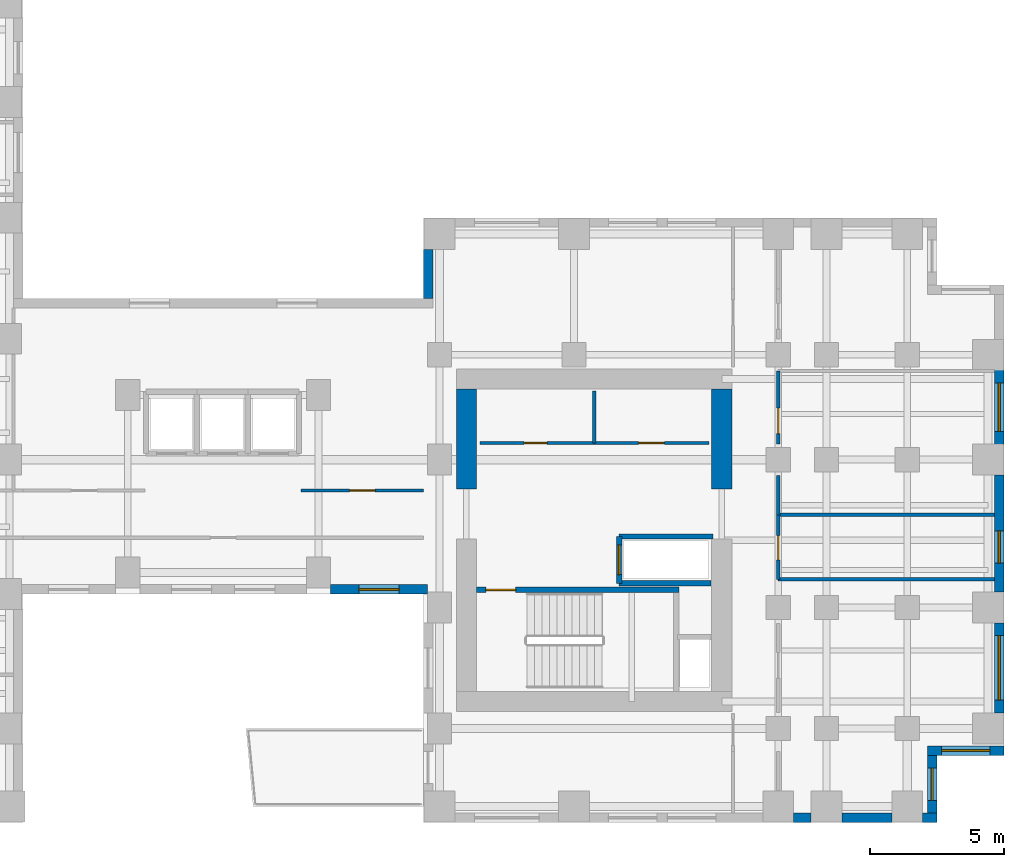
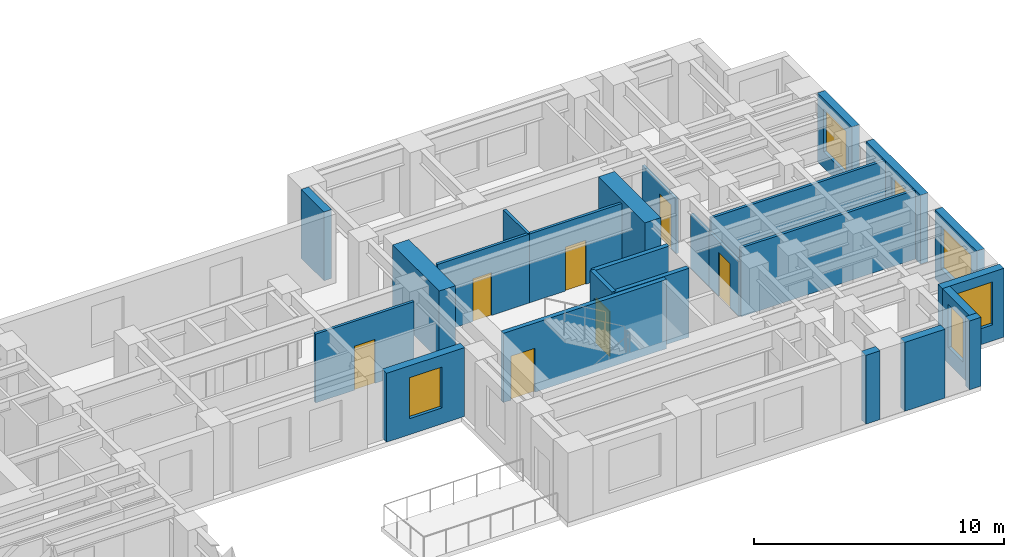
# One storey, part 7 of 12: 25 walls, 7 doors, 6 windows, 13 openings.
"""IFC4 building model written with IfcOpenShell, lengths in metres."""

from ifc_helpers import new_model, si_unit, direction, frame, frame_2d, origin, place, context, subcontext, project, spatial, rectangle, extrude, source, transform, mapped, material, layer, layer_set, type_object, element, fill, save


model = new_model("IFC4")

# Units and contexts
model_context = context("Model", 3, precision=1e-05, world=origin(), true_north=direction((0.0, 1.0)))
body_context = subcontext(model_context, "Body", "Model", "MODEL_VIEW")
ifc_project = project(units=[si_unit("LENGTHUNIT", "METRE"), si_unit("AREAUNIT", "SQUARE_METRE"), si_unit("VOLUMEUNIT", "CUBIC_METRE"), si_unit("PLANEANGLEUNIT", "RADIAN"), si_unit("MASSUNIT", "GRAM", prefix="KILO")], contexts=[model_context])

# Site, building, storey
site_placement = place(None, origin())
site = spatial("IfcSite", under=ifc_project, at=site_placement, CompositionType="ELEMENT")
building_placement = place(site_placement, origin())
building = spatial("IfcBuilding", under=site, at=building_placement, Name="Kharzan Plaza Tower", CompositionType="ELEMENT")
storey_placement = place(building_placement, frame((0.0, 0.0, 106.199951171875)))
storey = spatial("IfcBuildingStorey", under=building, at=storey_placement, Name="L28", CompositionType="ELEMENT", Elevation=106.199951171875)

# Wall, opening, window
ifc_material_1 = material(Name="Concrete C40/50", Category="concrete")
ifc_layer_1 = layer(ifc_material_1, 0.35009765625)
ifc_layer_set_1 = layer_set([ifc_layer_1], Name="Concrete C40/50")
wall_type_1 = type_object("IfcWallType", Name="WL-EXT-MAS-Z2", PredefinedType="SOLIDWALL", material=ifc_layer_set_1)
wall_1_placement = place(storey_placement, frame((30.947998046875, 8.675048828125, 0.0), z_axis=(0.0, 0.0, 1.0), x_axis=(1.0, 0.0, 0.0)))
wall_1 = element("IfcWall", 1, at=wall_1_placement, inside=storey, type_object=wall_type_1, Name="L28 Masonry-Frame Exterior Wall 36", PredefinedType="SOLIDWALL", context=body_context, shape_type="SweptSolid", body=[
    extrude(rectangle(XDim=3.60400390625, YDim=0.35009765625, at=frame_2d((1.802001953125, 0.0))), origin(), (0.0, 0.0, 1.0), 3.364990234375),
])
opening_1_placement = place(wall_1_placement, frame((1.052001953125, 0.0, 0.780029296875)))
opening_1 = element("IfcOpeningElement", 2, at=opening_1_placement, cuts=wall_1, Name="Opening W5", PredefinedType="OPENING", context=body_context, shape_type="SweptSolid", body=[
    extrude(rectangle(XDim=1.5, YDim=2.0, at=frame_2d((0.75, 1.0))), frame((0.0, 0.18505859375, 0.0), z_axis=(0.0, -1.0, 0.0), x_axis=(1.0, 0.0, 0.0)), (0.0, 0.0, 1.0), 0.3701171875),
])
ifc_material_2 = material(Name="Low-E Double Glazing", Category="glass")
window_type_1 = type_object("IfcWindowType", Name="WN-SLT-1500x2000", PartitioningType="SINGLE_PANEL", PredefinedType="WINDOW", material=ifc_material_2)
shared_shape_1 = source(origin(), body_context, "Body", "SweptSolid", [
    extrude(rectangle(XDim=1.5, YDim=2.0, at=frame_2d((0.75, 1.0))), frame((0.0, 0.030029296875, 0.0), z_axis=(0.0, -1.0, 0.0), x_axis=(1.0, 0.0, 0.0)), (0.0, 0.0, 1.0), 0.06005859375),
])
window_1_placement = place(opening_1_placement, origin())
window_1 = element("IfcWindow", 3, at=window_1_placement, inside=storey, type_object=window_type_1, Name="L28 Recessed Solar-Control Window 36-1", OverallHeight=2.0, OverallWidth=1.5, PartitioningType="SINGLE_PANEL", PredefinedType="WINDOW", context=body_context, shape_type="MappedRepresentation", body=[
    mapped(shared_shape_1, transform((0.0, 0.0, 0.0), x_axis=(1.0, 0.0, 0.0), y_axis=(0.0, 1.0, 0.0), z_axis=(0.0, 0.0, 1.0))),
])
fill(opening_1, window_1)

wall_2_placement = place(storey_placement, frame((53.324951171875, 0.347900390625, 0.0), z_axis=(0.0, 0.0, 1.0), x_axis=(0.0, 1.0, 0.0)))
wall_2 = element("IfcWall", 4, at=wall_2_placement, inside=storey, type_object=wall_type_1, Name="L28 Masonry-Frame Exterior Wall 44", PredefinedType="SOLIDWALL", context=body_context, shape_type="SweptSolid", body=[
    extrude(rectangle(XDim=2.154052734375, YDim=0.35009765625, at=frame_2d((1.0771484375, 0.0))), origin(), (0.0, 0.0, 1.0), 3.364990234375),
])
opening_2_placement = place(wall_2_placement, frame((0.47705078125, 0.0, 0.780029296875)))
opening_2 = element("IfcOpeningElement", 5, at=opening_2_placement, cuts=wall_2, Name="Opening W3", PredefinedType="OPENING", context=body_context, shape_type="SweptSolid", body=[
    extrude(rectangle(XDim=1.199951171875, YDim=2.10009765625, at=frame_2d((0.60009765625, 1.050048828125))), frame((0.0, 0.18505859375, 0.0), z_axis=(0.0, -1.0, 0.0), x_axis=(1.0, 0.0, 0.0)), (0.0, 0.0, 1.0), 0.3701171875),
])
window_type_2 = type_object("IfcWindowType", Name="WN-REC-1200x2100", PartitioningType="SINGLE_PANEL", PredefinedType="WINDOW", material=ifc_material_2)
shared_shape_2 = source(origin(), body_context, "Body", "SweptSolid", [
    extrude(rectangle(XDim=1.199951171875, YDim=2.10009765625, at=frame_2d((0.60009765625, 1.050048828125))), frame((0.0, 0.030029296875, 0.0), z_axis=(0.0, -1.0, 0.0), x_axis=(1.0, 0.0, 0.0)), (0.0, 0.0, 1.0), 0.06005859375),
])
window_2_placement = place(opening_2_placement, origin())
window_2 = element("IfcWindow", 6, at=window_2_placement, inside=storey, type_object=window_type_2, Name="L28 Recessed Solar-Control Window 44-1", OverallHeight=2.10009765625, OverallWidth=1.199951171875, PartitioningType="SINGLE_PANEL", PredefinedType="WINDOW", context=body_context, shape_type="MappedRepresentation", body=[
    mapped(shared_shape_2, transform((0.0, 0.0, 0.0), x_axis=(1.0, 0.0, 0.0), y_axis=(0.0, 1.0, 0.0), z_axis=(0.0, 0.0, 1.0))),
])
fill(opening_2, window_2)

wall_3_placement = place(storey_placement, frame((53.14990234375, 2.675048828125, 0.0), z_axis=(0.0, 0.0, 1.0), x_axis=(1.0, 0.0, 0.0)))
wall_3 = element("IfcWall", 7, at=wall_3_placement, inside=storey, type_object=wall_type_1, Name="L28 Masonry-Frame Exterior Wall 45", PredefinedType="SOLIDWALL", context=body_context, shape_type="SweptSolid", body=[
    extrude(rectangle(XDim=2.85009765625, YDim=0.35009765625, at=frame_2d((1.425048828125, 0.0))), origin(), (0.0, 0.0, 1.0), 3.364990234375),
])
opening_3_placement = place(wall_3_placement, frame((0.52490234375, 0.0, 0.780029296875)))
opening_3 = element("IfcOpeningElement", 8, at=opening_3_placement, cuts=wall_3, Name="Opening W1", PredefinedType="OPENING", context=body_context, shape_type="SweptSolid", body=[
    extrude(rectangle(XDim=1.800048828125, YDim=2.10009765625, at=frame_2d((0.89990234375, 1.050048828125))), frame((0.0, 0.18505859375, 0.0), z_axis=(0.0, -1.0, 0.0), x_axis=(1.0, 0.0, 0.0)), (0.0, 0.0, 1.0), 0.3701171875),
])
window_type_3 = type_object("IfcWindowType", Name="WN-REC-1800x2100", PartitioningType="SINGLE_PANEL", PredefinedType="WINDOW", material=ifc_material_2)
shared_shape_3 = source(origin(), body_context, "Body", "SweptSolid", [
    extrude(rectangle(XDim=1.800048828125, YDim=2.10009765625, at=frame_2d((0.89990234375, 1.050048828125))), frame((0.0, 0.030029296875, 0.0), z_axis=(0.0, -1.0, 0.0), x_axis=(1.0, 0.0, 0.0)), (0.0, 0.0, 1.0), 0.06005859375),
])
window_3_placement = place(opening_3_placement, origin())
window_3 = element("IfcWindow", 9, at=window_3_placement, inside=storey, type_object=window_type_3, Name="L28 Recessed Solar-Control Window 45-1", OverallHeight=2.10009765625, OverallWidth=1.800048828125, PartitioningType="SINGLE_PANEL", PredefinedType="WINDOW", context=body_context, shape_type="MappedRepresentation", body=[
    mapped(shared_shape_3, transform((0.0, 0.0, 0.0), x_axis=(1.0, 0.0, 0.0), y_axis=(0.0, 1.0, 0.0), z_axis=(0.0, 0.0, 1.0))),
])
fill(opening_3, window_3)

wall_4_placement = place(storey_placement, frame((55.824951171875, 4.072998046875, 0.0), z_axis=(0.0, 0.0, 1.0), x_axis=(0.0, 1.0, 0.0)))
wall_4 = element("IfcWall", 10, at=wall_4_placement, inside=storey, type_object=wall_type_1, Name="L28 Masonry-Frame Exterior Wall 46", PredefinedType="SOLIDWALL", context=body_context, shape_type="SweptSolid", body=[
    extrude(rectangle(XDim=3.35400390625, YDim=0.35009765625, at=frame_2d((1.677001953125, 0.0))), origin(), (0.0, 0.0, 1.0), 3.364990234375),
])
opening_4_placement = place(wall_4_placement, frame((0.47705078125, 0.0, 0.780029296875)))
opening_4 = element("IfcOpeningElement", 11, at=opening_4_placement, cuts=wall_4, Name="Opening W2", PredefinedType="OPENING", context=body_context, shape_type="SweptSolid", body=[
    extrude(rectangle(XDim=2.39990234375, YDim=2.10009765625, at=frame_2d((1.199951171875, 1.050048828125))), frame((0.0, 0.18505859375, 0.0), z_axis=(0.0, -1.0, 0.0), x_axis=(1.0, 0.0, 0.0)), (0.0, 0.0, 1.0), 0.3701171875),
])
window_type_4 = type_object("IfcWindowType", Name="WN-REC-2400x2100", PartitioningType="SINGLE_PANEL", PredefinedType="WINDOW", material=ifc_material_2)
shared_shape_4 = source(origin(), body_context, "Body", "SweptSolid", [
    extrude(rectangle(XDim=2.39990234375, YDim=2.10009765625, at=frame_2d((1.199951171875, 1.050048828125))), frame((0.0, 0.030029296875, 0.0), z_axis=(0.0, -1.0, 0.0), x_axis=(1.0, 0.0, 0.0)), (0.0, 0.0, 1.0), 0.06005859375),
])
window_4_placement = place(opening_4_placement, origin())
window_4 = element("IfcWindow", 12, at=window_4_placement, inside=storey, type_object=window_type_4, Name="L28 Wide Recessed Solar-Control Window 46-1", OverallHeight=2.10009765625, OverallWidth=2.39990234375, PartitioningType="SINGLE_PANEL", PredefinedType="WINDOW", context=body_context, shape_type="MappedRepresentation", body=[
    mapped(shared_shape_4, transform((0.0, 0.0, 0.0), x_axis=(1.0, 0.0, 0.0), y_axis=(0.0, 1.0, 0.0), z_axis=(0.0, 0.0, 1.0))),
])
fill(opening_4, window_4)

wall_5_placement = place(storey_placement, frame((55.824951171875, 8.572998046875, 0.0), z_axis=(0.0, 0.0, 1.0), x_axis=(0.0, 1.0, 0.0)))
wall_5 = element("IfcWall", 13, at=wall_5_placement, inside=storey, type_object=wall_type_1, Name="L28 Masonry-Frame Exterior Wall 47", PredefinedType="SOLIDWALL", context=body_context, shape_type="SweptSolid", body=[
    extrude(rectangle(XDim=4.35400390625, YDim=0.35009765625, at=frame_2d((2.177001953125, 0.0))), origin(), (0.0, 0.0, 1.0), 3.364990234375),
])
opening_5_placement = place(wall_5_placement, frame((1.076904296875, 0.0, 0.780029296875)))
opening_5 = element("IfcOpeningElement", 14, at=opening_5_placement, cuts=wall_5, Name="Opening W3", PredefinedType="OPENING", context=body_context, shape_type="SweptSolid", body=[
    extrude(rectangle(XDim=1.199951171875, YDim=2.10009765625, at=frame_2d((0.60009765625, 1.050048828125))), frame((0.0, 0.18505859375, 0.0), z_axis=(0.0, -1.0, 0.0), x_axis=(1.0, 0.0, 0.0)), (0.0, 0.0, 1.0), 0.3701171875),
])
window_5_placement = place(opening_5_placement, origin())
window_5 = element("IfcWindow", 15, at=window_5_placement, inside=storey, type_object=window_type_2, Name="L28 Recessed Solar-Control Window 47-1", OverallHeight=2.10009765625, OverallWidth=1.199951171875, PartitioningType="SINGLE_PANEL", PredefinedType="WINDOW", context=body_context, shape_type="MappedRepresentation", body=[
    mapped(shared_shape_2, transform((0.0, 0.0, 0.0), x_axis=(1.0, 0.0, 0.0), y_axis=(0.0, 1.0, 0.0), z_axis=(0.0, 0.0, 1.0))),
])
fill(opening_5, window_5)

wall_6_placement = place(storey_placement, frame((55.824951171875, 14.072998046875, 0.0), z_axis=(0.0, 0.0, 1.0), x_axis=(0.0, 1.0, 0.0)))
wall_6 = element("IfcWall", 16, at=wall_6_placement, inside=storey, type_object=wall_type_1, Name="L28 Masonry-Frame Exterior Wall 48", PredefinedType="SOLIDWALL", context=body_context, shape_type="SweptSolid", body=[
    extrude(rectangle(XDim=2.75390625, YDim=0.35009765625, at=frame_2d((1.376953125, 0.0))), origin(), (0.0, 0.0, 1.0), 3.364990234375),
])
opening_6_placement = place(wall_6_placement, frame((0.47705078125, 0.0, 0.780029296875)))
opening_6 = element("IfcOpeningElement", 17, at=opening_6_placement, cuts=wall_6, Name="Opening W1", PredefinedType="OPENING", context=body_context, shape_type="SweptSolid", body=[
    extrude(rectangle(XDim=1.800048828125, YDim=2.10009765625, at=frame_2d((0.89990234375, 1.050048828125))), frame((0.0, 0.18505859375, 0.0), z_axis=(0.0, -1.0, 0.0), x_axis=(1.0, 0.0, 0.0)), (0.0, 0.0, 1.0), 0.3701171875),
])
window_6_placement = place(opening_6_placement, origin())
window_6 = element("IfcWindow", 18, at=window_6_placement, inside=storey, type_object=window_type_3, Name="L28 Recessed Solar-Control Window 48-1", OverallHeight=2.10009765625, OverallWidth=1.800048828125, PartitioningType="SINGLE_PANEL", PredefinedType="WINDOW", context=body_context, shape_type="MappedRepresentation", body=[
    mapped(shared_shape_3, transform((0.0, 0.0, 0.0), x_axis=(1.0, 0.0, 0.0), y_axis=(0.0, 1.0, 0.0), z_axis=(0.0, 0.0, 1.0))),
])
fill(opening_6, window_6)

# Wall, opening, door
ifc_material_3 = material(Name="Fire-Rated Gypsum Board Partition", Category="gypsum")
ifc_layer_2 = layer(ifc_material_3, 0.125)
ifc_layer_set_2 = layer_set([ifc_layer_2], Name="Fire-Rated Gypsum Board Partition")
wall_type_2 = type_object("IfcWallType", Name="WL-INT-PART-125", PredefinedType="PARTITIONING", material=ifc_layer_set_2)
wall_7_placement = place(storey_placement, frame((36.5, 14.1201171875, 0.0), z_axis=(0.0, 0.0, 1.0), x_axis=(1.0, 0.0, 0.0)))
wall_7 = element("IfcWall", 19, at=wall_7_placement, inside=storey, type_object=wall_type_2, Name="L28 Interior Partition CB-RBLS1", PredefinedType="PARTITIONING", context=body_context, shape_type="SweptSolid", body=[
    extrude(rectangle(XDim=4.25, YDim=0.125, at=frame_2d((2.125, 0.0))), origin(), (0.0, 0.0, 1.0), 3.364990234375),
])
opening_7_placement = place(wall_7_placement, frame((1.64990234375, 0.0, 0.0)))
opening_7 = element("IfcOpeningElement", 20, at=opening_7_placement, cuts=wall_7, Name="Opening RD1", PredefinedType="OPENING", context=body_context, shape_type="SweptSolid", body=[
    extrude(rectangle(XDim=0.85009765625, YDim=2.10009765625, at=frame_2d((0.425048828125, 1.050048828125))), frame((0.0, 0.072509765625, 0.0), z_axis=(0.0, -1.0, 0.0), x_axis=(1.0, 0.0, 0.0)), (0.0, 0.0, 1.0), 0.14501953125),
])
ifc_material_4 = material(Name="Powder-Coated Fire-Rated Steel", Category="steel")
door_type_1 = type_object("IfcDoorType", Name="DR-RISER-900", OperationType="NOTDEFINED", PredefinedType="DOOR", material=ifc_material_4)
shared_shape_5 = source(origin(), body_context, "Body", "SweptSolid", [
    extrude(rectangle(XDim=0.85009765625, YDim=2.10009765625, at=frame_2d((0.425048828125, 1.050048828125))), frame((0.0, 0.02490234375, 0.0), z_axis=(0.0, -1.0, 0.0), x_axis=(1.0, 0.0, 0.0)), (0.0, 0.0, 1.0), 0.050048828125),
])
door_1_placement = place(opening_7_placement, origin())
door_1 = element("IfcDoor", 21, at=door_1_placement, inside=storey, type_object=door_type_1, Name="L28 Archive Room Door", OperationType="SINGLE_SWING_LEFT", OverallHeight=2.10009765625, OverallWidth=0.85009765625, PredefinedType="DOOR", context=body_context, shape_type="MappedRepresentation", body=[
    mapped(shared_shape_5, transform((0.0, 0.0, 0.0), x_axis=(1.0, 0.0, 0.0), y_axis=(0.0, 1.0, 0.0), z_axis=(0.0, 0.0, 1.0))),
])
fill(opening_7, door_1)

wall_8_placement = place(storey_placement, frame((40.75, 14.1201171875, 0.0), z_axis=(0.0, 0.0, 1.0), x_axis=(1.0, 0.0, 0.0)))
wall_8 = element("IfcWall", 22, at=wall_8_placement, inside=storey, type_object=wall_type_2, Name="L28 Interior Partition CB-RBLS2", PredefinedType="PARTITIONING", context=body_context, shape_type="SweptSolid", body=[
    extrude(rectangle(XDim=4.27001953125, YDim=0.125, at=frame_2d((2.135009765625, 0.0))), origin(), (0.0, 0.0, 1.0), 3.364990234375),
])
opening_8_placement = place(wall_8_placement, frame((1.659912109375, 0.0, 0.0)))
opening_8 = element("IfcOpeningElement", 23, at=opening_8_placement, cuts=wall_8, Name="Opening OD1", PredefinedType="OPENING", context=body_context, shape_type="SweptSolid", body=[
    extrude(rectangle(XDim=0.949951171875, YDim=2.14990234375, at=frame_2d((0.47509765625, 1.074951171875))), frame((0.0, 0.072509765625, 0.0), z_axis=(0.0, -1.0, 0.0), x_axis=(1.0, 0.0, 0.0)), (0.0, 0.0, 1.0), 0.14501953125),
])
ifc_material_5 = material(Name="Acoustic Solid-Core Stained Oak", Category="timber")
door_type_2 = type_object("IfcDoorType", Name="DR-OFF-SINGLE", OperationType="NOTDEFINED", PredefinedType="DOOR", material=ifc_material_5)
shared_shape_6 = source(origin(), body_context, "Body", "SweptSolid", [
    extrude(rectangle(XDim=0.949951171875, YDim=2.14990234375, at=frame_2d((0.47509765625, 1.074951171875))), frame((0.0, 0.02490234375, 0.0), z_axis=(0.0, -1.0, 0.0), x_axis=(1.0, 0.0, 0.0)), (0.0, 0.0, 1.0), 0.050048828125),
])
door_2_placement = place(opening_8_placement, origin())
door_2 = element("IfcDoor", 24, at=door_2_placement, inside=storey, type_object=door_type_2, Name="L28 Print Room Door", OperationType="SINGLE_SWING_RIGHT", OverallHeight=2.14990234375, OverallWidth=0.949951171875, PredefinedType="DOOR", context=body_context, shape_type="MappedRepresentation", body=[
    mapped(shared_shape_6, transform((0.0, 0.0, 0.0), x_axis=(1.0, 0.0, 0.0), y_axis=(0.0, 1.0, 0.0), z_axis=(0.0, 0.0, 1.0))),
])
fill(opening_8, door_2)

wall_9_placement = place(storey_placement, frame((47.60009765625, 14.090087890625, 0.0), z_axis=(0.0, 0.0, 1.0), x_axis=(0.0, 1.0, 0.0)))
wall_9 = element("IfcWall", 25, at=wall_9_placement, inside=storey, type_object=wall_type_2, Name="L28 Interior Partition SH-B1W1-S2", PredefinedType="PARTITIONING", context=body_context, shape_type="SweptSolid", body=[
    extrude(rectangle(XDim=2.7099609375, YDim=0.125, at=frame_2d((1.35498046875, 0.0))), origin(), (0.0, 0.0, 1.0), 2.677001953125),
])
opening_9_placement = place(wall_9_placement, frame((0.3798828125, 0.0, 0.0)))
opening_9 = element("IfcOpeningElement", 26, at=opening_9_placement, cuts=wall_9, Name="Opening OD1", PredefinedType="OPENING", context=body_context, shape_type="SweptSolid", body=[
    extrude(rectangle(XDim=0.949951171875, YDim=2.14990234375, at=frame_2d((0.47509765625, 1.074951171875))), frame((0.0, 0.072509765625, 0.0), z_axis=(0.0, -1.0, 0.0), x_axis=(1.0, 0.0, 0.0)), (0.0, 0.0, 1.0), 0.14501953125),
])
door_3_placement = place(opening_9_placement, origin())
door_3 = element("IfcDoor", 27, at=door_3_placement, inside=storey, type_object=door_type_2, Name="L28 Wing B Mid Office Door", OperationType="SINGLE_SWING_RIGHT", OverallHeight=2.14990234375, OverallWidth=0.949951171875, PredefinedType="DOOR", context=body_context, shape_type="MappedRepresentation", body=[
    mapped(shared_shape_6, transform((0.0, 0.0, 0.0), x_axis=(1.0, 0.0, 0.0), y_axis=(0.0, 1.0, 0.0), z_axis=(0.0, 0.0, 1.0))),
])
fill(opening_9, door_3)

wall_10_placement = place(storey_placement, frame((47.60009765625, 9.050048828125, 0.0), z_axis=(0.0, 0.0, 1.0), x_axis=(0.0, 1.0, 0.0)))
wall_10 = element("IfcWall", 28, at=wall_10_placement, inside=storey, type_object=wall_type_2, Name="L28 Interior Partition SH-B1WC", PredefinedType="PARTITIONING", context=body_context, shape_type="SweptSolid", body=[
    extrude(rectangle(XDim=2.39990234375, YDim=0.125, at=frame_2d((1.199951171875, 0.0))), origin(), (0.0, 0.0, 1.0), 2.677001953125),
])
opening_10_placement = place(wall_10_placement, frame((0.72509765625, 0.0, 0.0)))
opening_10 = element("IfcOpeningElement", 29, at=opening_10_placement, cuts=wall_10, Name="Opening WD1", PredefinedType="OPENING", context=body_context, shape_type="SweptSolid", body=[
    extrude(rectangle(XDim=0.89990234375, YDim=2.14990234375, at=frame_2d((0.449951171875, 1.074951171875))), frame((0.0, 0.072509765625, 0.0), z_axis=(0.0, -1.0, 0.0), x_axis=(1.0, 0.0, 0.0)), (0.0, 0.0, 1.0), 0.14501953125),
])
ifc_material_6 = material(Name="Moisture-Resistant Fire-Rated Laminate", Category="timber")
door_type_3 = type_object("IfcDoorType", Name="DR-WC-900", OperationType="NOTDEFINED", PredefinedType="DOOR", material=ifc_material_6)
shared_shape_7 = source(origin(), body_context, "Body", "SweptSolid", [
    extrude(rectangle(XDim=0.89990234375, YDim=2.14990234375, at=frame_2d((0.449951171875, 1.074951171875))), frame((0.0, 0.02490234375, 0.0), z_axis=(0.0, -1.0, 0.0), x_axis=(1.0, 0.0, 0.0)), (0.0, 0.0, 1.0), 0.050048828125),
])
door_4_placement = place(opening_10_placement, origin())
door_4 = element("IfcDoor", 30, at=door_4_placement, inside=storey, type_object=door_type_3, Name="L28 Wing B Washroom Door", OperationType="SINGLE_SWING_RIGHT", OverallHeight=2.14990234375, OverallWidth=0.89990234375, PredefinedType="DOOR", context=body_context, shape_type="MappedRepresentation", body=[
    mapped(shared_shape_7, transform((0.0, 0.0, 0.0), x_axis=(1.0, 0.0, 0.0), y_axis=(0.0, 1.0, 0.0), z_axis=(0.0, 0.0, 1.0))),
])
fill(opening_10, door_4)

wall_11_placement = place(storey_placement, frame((29.85009765625, 12.35009765625, 0.0), z_axis=(0.0, 0.0, 1.0), x_axis=(1.0, 0.0, 0.0)))
wall_11 = element("IfcWall", 31, at=wall_11_placement, inside=storey, type_object=wall_type_2, Name="L28 Interior Partition SH-SPNE1", PredefinedType="PARTITIONING", context=body_context, shape_type="SweptSolid", body=[
    extrude(rectangle(XDim=4.5498046875, YDim=0.125, at=frame_2d((2.27490234375, 0.0))), origin(), (0.0, 0.0, 1.0), 3.364990234375),
])
opening_11_placement = place(wall_11_placement, frame((1.800048828125, 0.0, 0.0)))
opening_11 = element("IfcOpeningElement", 32, at=opening_11_placement, cuts=wall_11, Name="Opening OD1", PredefinedType="OPENING", context=body_context, shape_type="SweptSolid", body=[
    extrude(rectangle(XDim=0.949951171875, YDim=2.14990234375, at=frame_2d((0.47509765625, 1.074951171875))), frame((0.0, 0.072509765625, 0.0), z_axis=(0.0, -1.0, 0.0), x_axis=(1.0, 0.0, 0.0)), (0.0, 0.0, 1.0), 0.14501953125),
])
door_5_placement = place(opening_11_placement, origin())
door_5 = element("IfcDoor", 33, at=door_5_placement, inside=storey, type_object=door_type_2, Name="L28 North-East Spine Door", OperationType="SINGLE_SWING_RIGHT", OverallHeight=2.14990234375, OverallWidth=0.949951171875, PredefinedType="DOOR", context=body_context, shape_type="MappedRepresentation", body=[
    mapped(shared_shape_6, transform((0.0, 0.0, 0.0), x_axis=(1.0, 0.0, 0.0), y_axis=(0.0, 1.0, 0.0), z_axis=(0.0, 0.0, 1.0))),
])
fill(opening_11, door_5)

ifc_layer_3 = layer(ifc_material_1, 0.199951171875)
ifc_layer_set_3 = layer_set([ifc_layer_3], Name="Concrete C40/50")
wall_type_3 = type_object("IfcWallType", Name="WL-INT-SHAFT-200", PredefinedType="PARTITIONING", material=ifc_layer_set_3)
wall_12_placement = place(storey_placement, frame((41.679931640625, 8.89990234375, 0.0), z_axis=(0.0, 0.0, 1.0), x_axis=(0.0, 1.0, 0.0)))
wall_12 = element("IfcWall", 34, at=wall_12_placement, inside=storey, type_object=wall_type_3, Name="L28 Interior Partition SHF-SVL-2-W", PredefinedType="PARTITIONING", context=body_context, shape_type="SweptSolid", body=[
    extrude(rectangle(XDim=1.739990234375, YDim=0.199951171875, at=frame_2d((0.8701171875, 0.0))), origin(), (0.0, 0.0, 1.0), 3.364990234375),
])
opening_12_placement = place(wall_12_placement, frame((0.320068359375, 0.0, 0.0)))
opening_12 = element("IfcOpeningElement", 35, at=opening_12_placement, cuts=wall_12, Name="Opening LD", PredefinedType="OPENING", context=body_context, shape_type="SweptSolid", body=[
    extrude(rectangle(XDim=1.10009765625, YDim=2.199951171875, at=frame_2d((0.550048828125, 1.10009765625))), frame((0.0, 0.10986328125, 0.0), z_axis=(0.0, -1.0, 0.0), x_axis=(1.0, 0.0, 0.0)), (0.0, 0.0, 1.0), 0.219970703125),
])
ifc_material_7 = material(Name="Brushed Stainless Steel", Category="steel")
door_type_4 = type_object("IfcDoorType", Name="DR-LIFT-SLIDE", OperationType="SLIDING_TO_LEFT", PredefinedType="DOOR", material=ifc_material_7)
shared_shape_8 = source(origin(), body_context, "Body", "SweptSolid", [
    extrude(rectangle(XDim=1.10009765625, YDim=2.199951171875, at=frame_2d((0.550048828125, 1.10009765625))), frame((0.0, 0.02490234375, 0.0), z_axis=(0.0, -1.0, 0.0), x_axis=(1.0, 0.0, 0.0)), (0.0, 0.0, 1.0), 0.050048828125),
])
door_6_placement = place(opening_12_placement, origin())
door_6 = element("IfcDoor", 36, at=door_6_placement, inside=storey, type_object=door_type_4, Name="L28 Service Lift SVL-2 Sliding Landing Door", OperationType="SLIDING_TO_LEFT", OverallHeight=2.199951171875, OverallWidth=1.10009765625, PredefinedType="DOOR", context=body_context, shape_type="MappedRepresentation", body=[
    mapped(shared_shape_8, transform((0.0, 0.0, 0.0), x_axis=(1.0, 0.0, 0.0), y_axis=(0.0, 1.0, 0.0), z_axis=(0.0, 0.0, 1.0))),
])
fill(opening_12, door_6)

ifc_material_8 = material(Name="Concrete C50/60", Category="concrete")
ifc_layer_4 = layer(ifc_material_8, 0.199951171875)
ifc_layer_set_4 = layer_set([ifc_layer_4], Name="Concrete C50/60")
wall_type_4 = type_object("IfcWallType", Name="WL-SHAFT-RC200", PredefinedType="SHEAR", material=ifc_layer_set_4)
wall_13_placement = place(storey_placement, frame((36.376953125, 8.655029296875, 0.0), z_axis=(0.0, 0.0, 1.0), x_axis=(1.0, 0.0, 0.0)))
wall_13 = element("IfcWall", 37, at=wall_13_placement, inside=storey, type_object=wall_type_4, Name="L28 Stair ST-3 North RC Shaft Wall", PredefinedType="SHEAR", context=body_context, shape_type="SweptSolid", body=[
    extrude(rectangle(XDim=7.528076171875, YDim=0.199951171875, at=frame_2d((3.76416015625, 0.0))), origin(), (0.0, 0.0, 1.0), 3.380126953125),
])
opening_13_placement = place(wall_13_placement, frame((0.35009765625, 0.0, 0.0)))
opening_13 = element("IfcOpeningElement", 38, at=opening_13_placement, cuts=wall_13, Name="Opening SD1", PredefinedType="OPENING", context=body_context, shape_type="SweptSolid", body=[
    extrude(rectangle(XDim=1.10009765625, YDim=2.14990234375, at=frame_2d((0.550048828125, 1.074951171875))), frame((0.0, 0.10986328125, 0.0), z_axis=(0.0, -1.0, 0.0), x_axis=(1.0, 0.0, 0.0)), (0.0, 0.0, 1.0), 0.219970703125),
])
ifc_material_9 = material(Name="Fire-Rated Hollow Galvanized Steel", Category="steel")
door_type_5 = type_object("IfcDoorType", Name="DR-STAIR-FD120", OperationType="NOTDEFINED", PredefinedType="DOOR", material=ifc_material_9)
shared_shape_9 = source(origin(), body_context, "Body", "SweptSolid", [
    extrude(rectangle(XDim=1.10009765625, YDim=2.14990234375, at=frame_2d((0.550048828125, 1.074951171875))), frame((0.0, 0.02490234375, 0.0), z_axis=(0.0, -1.0, 0.0), x_axis=(1.0, 0.0, 0.0)), (0.0, 0.0, 1.0), 0.050048828125),
])
door_7_placement = place(opening_13_placement, origin())
door_7 = element("IfcDoor", 39, at=door_7_placement, inside=storey, type_object=door_type_5, Name="L28 Stair ST-3 Fire Exit Door", OperationType="SINGLE_SWING_RIGHT", OverallHeight=2.14990234375, OverallWidth=1.10009765625, PredefinedType="DOOR", context=body_context, shape_type="MappedRepresentation", body=[
    mapped(shared_shape_9, transform((0.0, 0.0, 0.0), x_axis=(1.0, 0.0, 0.0), y_axis=(0.0, 1.0, 0.0), z_axis=(0.0, 0.0, 1.0))),
])
fill(opening_13, door_7)

# Walls
shared_shape_10 = source(origin(), body_context, "Body", "SweptSolid", [
    extrude(rectangle(XDim=3.489990234375, YDim=0.199951171875, at=frame_2d((1.7451171875, 0.0))), origin(), (0.0, 0.0, 1.0), 3.364990234375),
])
wall_14_placement = place(storey_placement, frame((41.679931640625, 10.639892578125, 0.0), z_axis=(0.0, 0.0, 1.0), x_axis=(1.0, 0.0, 0.0)))
element("IfcWall", 40, at=wall_14_placement, inside=storey, type_object=wall_type_3, Name="L28 Interior Partition SHF-SVL-2-N", PredefinedType="PARTITIONING", context=body_context, shape_type="MappedRepresentation", body=[
    mapped(shared_shape_10, transform((0.0, 0.0, 0.0), x_axis=(1.0, 0.0, 0.0), y_axis=(0.0, 1.0, 0.0), z_axis=(0.0, 0.0, 1.0))),
])
ifc_material_10 = material(Name="Concrete C60/75", Category="concrete")
ifc_layer_5 = layer(ifc_material_10, 0.75)
ifc_layer_set_5 = layer_set([ifc_layer_5], Name="Concrete C60/75")
wall_type_5 = type_object("IfcWallType", Name="WL-CORE-750", PredefinedType="SHEAR", material=ifc_layer_set_5)
shared_shape_11 = source(origin(), body_context, "Body", "SweptSolid", [
    extrude(rectangle(XDim=3.72509765625, YDim=0.75, at=frame_2d((1.862548828125, 0.0))), origin(), (0.0, 0.0, 1.0), 3.380126953125),
])
for number, where, z_axis, x_axis, name in (
    (41, (45.5, 12.39990234375, 0.0), (0.0, 0.0, 1.0), (0.0, 1.0, 0.0), "L28 CORE-B east shear pier 2"),
    (42, (36.0, 12.39990234375, 0.0), (0.0, 0.0, 1.0), (0.0, 1.0, 0.0), "L28 CORE-B west shear pier 2"),
):
    element("IfcWall", number, at=place(storey_placement, frame(where, z_axis=z_axis, x_axis=x_axis)), inside=storey, type_object=wall_type_5, Name=name, PredefinedType="SHEAR", context=body_context, shape_type="MappedRepresentation", body=[
        mapped(shared_shape_11, transform((0.0, 0.0, 0.0), x_axis=(1.0, 0.0, 0.0), y_axis=(0.0, 1.0, 0.0), z_axis=(0.0, 0.0, 1.0))),
    ])
shared_shape_12 = source(origin(), body_context, "Body", "SweptSolid", [
    extrude(rectangle(XDim=0.65380859375, YDim=0.35009765625, at=frame_2d((0.326904296875, 0.0))), origin(), (0.0, 0.0, 1.0), 3.364990234375),
])
wall_15_placement = place(storey_placement, frame((48.173095703125, 0.175048828125, 0.0), z_axis=(0.0, 0.0, 1.0), x_axis=(1.0, 0.0, 0.0)))
element("IfcWall", 43, at=wall_15_placement, inside=storey, type_object=wall_type_1, Name="L28 Masonry-Frame Exterior Wall 41", PredefinedType="SOLIDWALL", context=body_context, shape_type="MappedRepresentation", body=[
    mapped(shared_shape_12, transform((0.0, 0.0, 0.0), x_axis=(1.0, 0.0, 0.0), y_axis=(0.0, 1.0, 0.0), z_axis=(0.0, 0.0, 1.0))),
])
shared_shape_13 = source(origin(), body_context, "Body", "SweptSolid", [
    extrude(rectangle(XDim=1.85400390625, YDim=0.35009765625, at=frame_2d((0.927001953125, 0.0))), origin(), (0.0, 0.0, 1.0), 3.364990234375),
])
wall_16_placement = place(storey_placement, frame((49.972900390625, 0.175048828125, 0.0), z_axis=(0.0, 0.0, 1.0), x_axis=(1.0, 0.0, 0.0)))
element("IfcWall", 44, at=wall_16_placement, inside=storey, type_object=wall_type_1, Name="L28 Masonry-Frame Exterior Wall 42", PredefinedType="SOLIDWALL", context=body_context, shape_type="MappedRepresentation", body=[
    mapped(shared_shape_13, transform((0.0, 0.0, 0.0), x_axis=(1.0, 0.0, 0.0), y_axis=(0.0, 1.0, 0.0), z_axis=(0.0, 0.0, 1.0))),
])
shared_shape_14 = source(origin(), body_context, "Body", "SweptSolid", [
    extrude(rectangle(XDim=0.527099609375, YDim=0.35009765625, at=frame_2d((0.263671875, 0.0))), origin(), (0.0, 0.0, 1.0), 3.364990234375),
])
wall_17_placement = place(storey_placement, frame((52.972900390625, 0.175048828125, 0.0), z_axis=(0.0, 0.0, 1.0), x_axis=(1.0, 0.0, 0.0)))
element("IfcWall", 45, at=wall_17_placement, inside=storey, type_object=wall_type_1, Name="L28 Masonry-Frame Exterior Wall 43", PredefinedType="SOLIDWALL", context=body_context, shape_type="MappedRepresentation", body=[
    mapped(shared_shape_14, transform((0.0, 0.0, 0.0), x_axis=(1.0, 0.0, 0.0), y_axis=(0.0, 1.0, 0.0), z_axis=(0.0, 0.0, 1.0))),
])
shared_shape_15 = source(origin(), body_context, "Body", "SweptSolid", [
    extrude(rectangle(XDim=8.0478515625, YDim=0.125, at=frame_2d((4.02392578125, 0.0))), origin(), (0.0, 0.0, 1.0), 3.364990234375),
])
for number, where, z_axis, x_axis, name in (
    (46, (47.60009765625, 11.449951171875, 0.0), (0.0, 0.0, 1.0), (1.0, 0.0, 0.0), "L28 Interior Partition SH-B1H-118"),
    (47, (47.60009765625, 9.050048828125, 0.0), (0.0, 0.0, 1.0), (1.0, 0.0, 0.0), "L28 Interior Partition SH-B1H-90"),
):
    element("IfcWall", number, at=place(storey_placement, frame(where, z_axis=z_axis, x_axis=x_axis)), inside=storey, type_object=wall_type_2, Name=name, PredefinedType="PARTITIONING", context=body_context, shape_type="MappedRepresentation", body=[
        mapped(shared_shape_15, transform((0.0, 0.0, 0.0), x_axis=(1.0, 0.0, 0.0), y_axis=(0.0, 1.0, 0.0), z_axis=(0.0, 0.0, 1.0))),
    ])
shared_shape_16 = source(origin(), body_context, "Body", "SweptSolid", [
    extrude(rectangle(XDim=3.4150390625, YDim=0.199951171875, at=frame_2d((1.70751953125, 0.0))), origin(), (0.0, 0.0, 1.0), 3.364990234375),
])
wall_18_placement = place(storey_placement, frame((41.679931640625, 8.89990234375, 0.0), z_axis=(0.0, 0.0, 1.0), x_axis=(1.0, 0.0, 0.0)))
element("IfcWall", 48, at=wall_18_placement, inside=storey, type_object=wall_type_3, Name="L28 Interior Partition SHF-SVL-2-S", PredefinedType="PARTITIONING", context=body_context, shape_type="MappedRepresentation", body=[
    mapped(shared_shape_16, transform((0.0, 0.0, 0.0), x_axis=(1.0, 0.0, 0.0), y_axis=(0.0, 1.0, 0.0), z_axis=(0.0, 0.0, 1.0))),
])
shared_shape_17 = source(origin(), body_context, "Body", "SweptSolid", [
    extrude(rectangle(XDim=1.4599609375, YDim=0.125, at=frame_2d((0.72998046875, 0.0))), origin(), (0.0, 0.0, 1.0), 2.677001953125),
])
wall_19_placement = place(storey_placement, frame((47.60009765625, 11.449951171875, 0.0), z_axis=(0.0, 0.0, 1.0), x_axis=(0.0, 1.0, 0.0)))
element("IfcWall", 49, at=wall_19_placement, inside=storey, type_object=wall_type_2, Name="L28 Interior Partition SH-B1W1-S1", PredefinedType="PARTITIONING", context=body_context, shape_type="MappedRepresentation", body=[
    mapped(shared_shape_17, transform((0.0, 0.0, 0.0), x_axis=(1.0, 0.0, 0.0), y_axis=(0.0, 1.0, 0.0), z_axis=(0.0, 0.0, 1.0))),
])
shared_shape_18 = source(origin(), body_context, "Body", "SweptSolid", [
    extrude(rectangle(XDim=1.929931640625, YDim=0.125, at=frame_2d((0.96484375, 0.0))), origin(), (0.0, 0.0, 1.0), 3.364990234375),
])
wall_20_placement = place(storey_placement, frame((40.75, 14.1201171875, 0.0), z_axis=(0.0, 0.0, 1.0), x_axis=(0.0, 1.0, 0.0)))
element("IfcWall", 50, at=wall_20_placement, inside=storey, type_object=wall_type_2, Name="L28 Interior Partition CB-RBLM1", PredefinedType="PARTITIONING", context=body_context, shape_type="MappedRepresentation", body=[
    mapped(shared_shape_18, transform((0.0, 0.0, 0.0), x_axis=(1.0, 0.0, 0.0), y_axis=(0.0, 1.0, 0.0), z_axis=(0.0, 0.0, 1.0))),
])
shared_shape_19 = source(origin(), body_context, "Body", "SweptSolid", [
    extrude(rectangle(XDim=1.828857421875, YDim=0.35009765625, at=frame_2d((0.91455078125, 0.0))), origin(), (0.0, 0.0, 1.0), 3.364990234375),
])
wall_21_placement = place(storey_placement, frame((34.574951171875, 21.326904296875, 0.0), z_axis=(0.0, 0.0, 1.0), x_axis=(0.0, -1.0, 0.0)))
element("IfcWall", 51, at=wall_21_placement, inside=storey, type_object=wall_type_1, Name="L28 Masonry-Frame Exterior Wall 57", PredefinedType="SOLIDWALL", context=body_context, shape_type="MappedRepresentation", body=[
    mapped(shared_shape_19, transform((0.0, 0.0, 0.0), x_axis=(1.0, 0.0, 0.0), y_axis=(0.0, 1.0, 0.0), z_axis=(0.0, 0.0, 1.0))),
])

save(model, "model.ifc")
